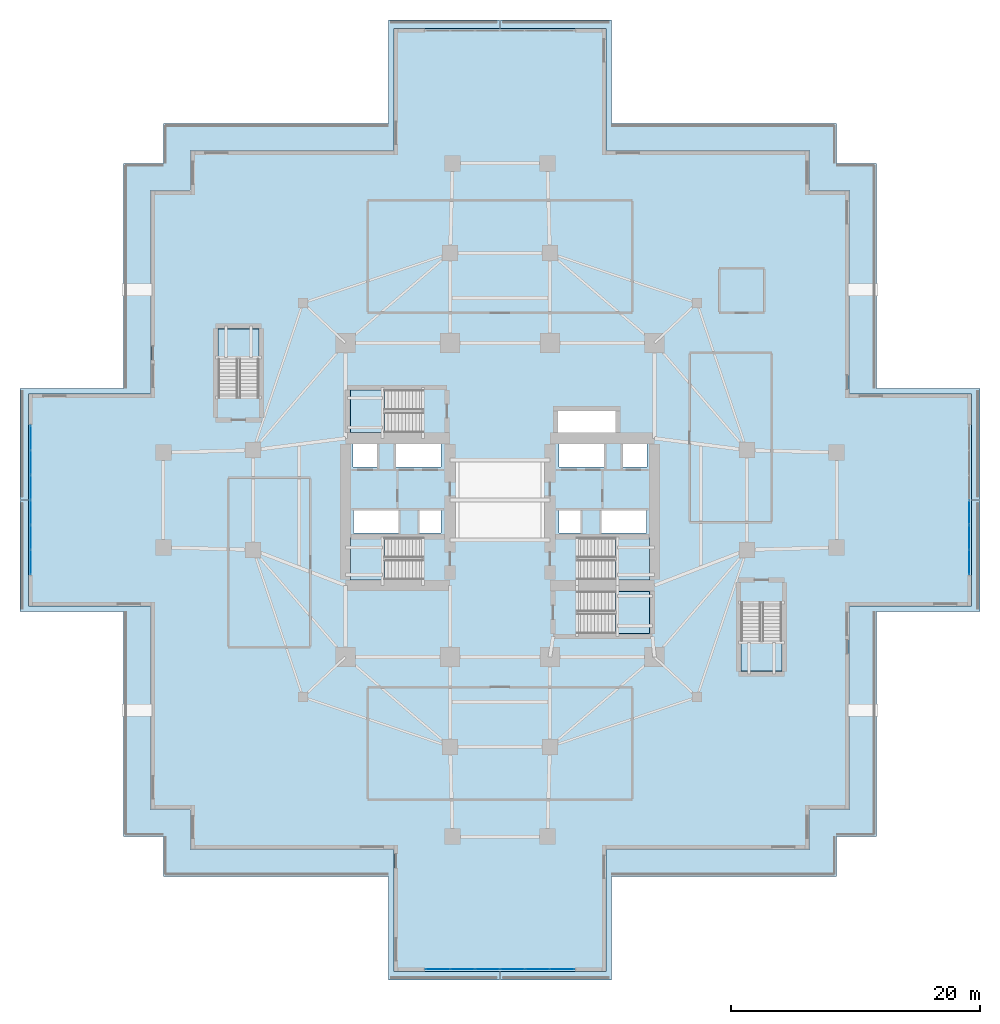
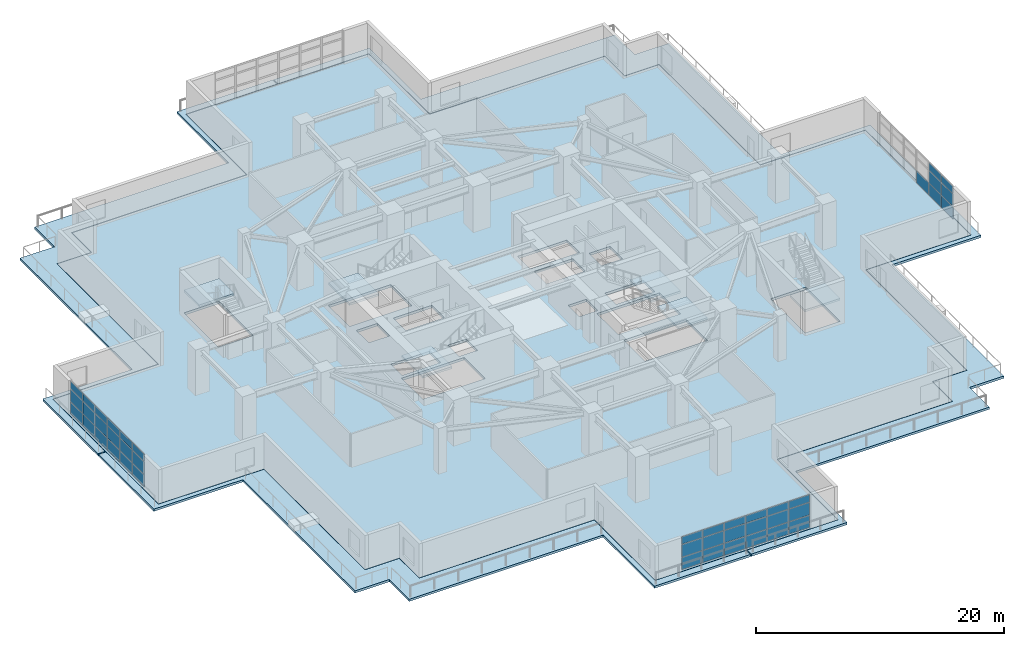
# One storey, part 11 of 23: 43 plates, 11 slabs, 9 elements without a shape of their own.
"""IFC4 building model written with IfcOpenShell, lengths in metres."""

from ifc_helpers import new_model, si_unit, direction, frame, origin, origin_2d, place, context, subcontext, project, spatial, polyline, rectangle, outline, extrude, material, layer, layer_set, type_object, element, aggregate, save


model = new_model("IFC4")

# Units and contexts
model_context = context("Model", 3, precision=1e-05, world=origin(), true_north=direction((0.0, 1.0)))
body_context = subcontext(model_context, "Body", "Model", "MODEL_VIEW")
ifc_project = project(units=[si_unit("LENGTHUNIT", "METRE"), si_unit("AREAUNIT", "SQUARE_METRE"), si_unit("VOLUMEUNIT", "CUBIC_METRE"), si_unit("PLANEANGLEUNIT", "RADIAN"), si_unit("MASSUNIT", "GRAM", prefix="KILO")], contexts=[model_context])

# Site, building, storey
site_placement = place(None, origin())
site = spatial("IfcSite", under=ifc_project, at=site_placement, CompositionType="ELEMENT")
building_placement = place(site_placement, origin())
building = spatial("IfcBuilding", under=site, at=building_placement, Name="Qingluan Cross Belvedere", CompositionType="ELEMENT")
storey_placement = place(building_placement, frame((0.0, 0.0, 10.199951171875)))
storey = spatial("IfcBuildingStorey", under=building, at=storey_placement, Name="L03", CompositionType="ELEMENT", Elevation=10.199951171875)

# Curtain wall, plates
ifc_material_1 = material(Name="Thermally broken aluminium and Low-E glass", Category="aluminium")
ifc_layer_1 = layer(ifc_material_1, 0.219970703125, Name="UnitisedCW_BallroomFoyer")
ifc_layer_set_1 = layer_set([ifc_layer_1], Name="Thermally broken aluminium and Low-E glass")
curtain_wall_type = type_object("IfcCurtainWallType", Name="UnitisedCW_BallroomFoyer", PredefinedType="USERDEFINED", material=ifc_layer_set_1)
curtain_wall_1_placement = place(storey_placement, origin())
curtain_wall_1 = element("IfcCurtainWall", 1, at=curtain_wall_1_placement, inside=storey, type_object=curtain_wall_type, Name="UnitisedCW_BallroomFoyer run env:cw:L03:S", ObjectType="UNITISED CURTAIN WALL", PredefinedType="USERDEFINED")
ifc_material_2 = material(Name="Ceramic-fritted insulated spandrel glass", Category="glass")
ifc_layer_2 = layer(ifc_material_2, 0.0439453125, Name="CWSpandrelPanel_44")
ifc_layer_set_2 = layer_set([ifc_layer_2], Name="Ceramic-fritted insulated spandrel glass")
plate_type = type_object("IfcPlateType", Name="CWSpandrelPanel_44", PredefinedType="CURTAIN_PANEL", material=ifc_layer_set_2)
plate_1_placement = place(storey_placement, frame((4.985107421875, -37.639892578125, 0.06005859375), z_axis=(0.0, 0.0, 1.0), x_axis=(-1.0, 0.0, 0.0)))
plate_1 = element("IfcPlate", 2, at=plate_1_placement, type_object=plate_type, Name="CW-P2 panel 1.1", PredefinedType="CURTAIN_PANEL", context=body_context, shape_type="SweptSolid", body=[
    extrude(rectangle(XDim=1.909912109375, YDim=0.028076171875, at=origin_2d()), origin(), (0.0, 0.0, 1.0), 1.175048828125),
])
plate_2_placement = place(storey_placement, frame((4.985107421875, -37.639892578125, 1.294921875), z_axis=(0.0, 0.0, 1.0), x_axis=(-1.0, 0.0, 0.0)))
plate_2 = element("IfcPlate", 3, at=plate_2_placement, type_object=plate_type, Name="CW-P2 panel 1.2", PredefinedType="CURTAIN_PANEL", context=body_context, shape_type="SweptSolid", body=[
    extrude(rectangle(XDim=1.909912109375, YDim=0.028076171875, at=origin_2d()), origin(), (0.0, 0.0, 1.0), 1.2060546875),
])
plate_3_placement = place(storey_placement, frame((4.985107421875, -37.639892578125, 2.56103515625), z_axis=(0.0, 0.0, 1.0), x_axis=(-1.0, 0.0, 0.0)))
plate_3 = element("IfcPlate", 4, at=plate_3_placement, type_object=plate_type, Name="CW-P2 panel 1.3", PredefinedType="CURTAIN_PANEL", context=body_context, shape_type="SweptSolid", body=[
    extrude(rectangle(XDim=1.909912109375, YDim=0.028076171875, at=origin_2d()), origin(), (0.0, 0.0, 1.0), 0.708984375),
])
plate_4_placement = place(storey_placement, frame((3.0, -37.639892578125, 0.06005859375), z_axis=(0.0, 0.0, 1.0), x_axis=(-1.0, 0.0, 0.0)))
plate_4 = element("IfcPlate", 5, at=plate_4_placement, type_object=plate_type, Name="CW-P2 panel 2.1", PredefinedType="CURTAIN_PANEL", context=body_context, shape_type="SweptSolid", body=[
    extrude(rectangle(XDim=1.93994140625, YDim=0.028076171875, at=origin_2d()), origin(), (0.0, 0.0, 1.0), 1.175048828125),
])
plate_5_placement = place(storey_placement, frame((3.0, -37.639892578125, 1.294921875), z_axis=(0.0, 0.0, 1.0), x_axis=(-1.0, 0.0, 0.0)))
plate_5 = element("IfcPlate", 6, at=plate_5_placement, type_object=plate_type, Name="CW-P2 panel 2.2", PredefinedType="CURTAIN_PANEL", context=body_context, shape_type="SweptSolid", body=[
    extrude(rectangle(XDim=1.93994140625, YDim=0.028076171875, at=origin_2d()), origin(), (0.0, 0.0, 1.0), 1.2060546875),
])
plate_6_placement = place(storey_placement, frame((3.0, -37.639892578125, 2.56103515625), z_axis=(0.0, 0.0, 1.0), x_axis=(-1.0, 0.0, 0.0)))
plate_6 = element("IfcPlate", 7, at=plate_6_placement, type_object=plate_type, Name="CW-P2 panel 2.3", PredefinedType="CURTAIN_PANEL", context=body_context, shape_type="SweptSolid", body=[
    extrude(rectangle(XDim=1.93994140625, YDim=0.028076171875, at=origin_2d()), origin(), (0.0, 0.0, 1.0), 0.708984375),
])
plate_7_placement = place(storey_placement, frame((1.0, -37.639892578125, 0.06005859375), z_axis=(0.0, 0.0, 1.0), x_axis=(-1.0, 0.0, 0.0)))
plate_7 = element("IfcPlate", 8, at=plate_7_placement, type_object=plate_type, Name="CW-P2 panel 3.1", PredefinedType="CURTAIN_PANEL", context=body_context, shape_type="SweptSolid", body=[
    extrude(rectangle(XDim=1.93994140625, YDim=0.028076171875, at=origin_2d()), origin(), (0.0, 0.0, 1.0), 1.175048828125),
])
plate_8_placement = place(storey_placement, frame((1.0, -37.639892578125, 1.294921875), z_axis=(0.0, 0.0, 1.0), x_axis=(-1.0, 0.0, 0.0)))
plate_8 = element("IfcPlate", 9, at=plate_8_placement, type_object=plate_type, Name="CW-P2 panel 3.2", PredefinedType="CURTAIN_PANEL", context=body_context, shape_type="SweptSolid", body=[
    extrude(rectangle(XDim=1.93994140625, YDim=0.028076171875, at=origin_2d()), origin(), (0.0, 0.0, 1.0), 1.2060546875),
])
plate_9_placement = place(storey_placement, frame((1.0, -37.639892578125, 2.56103515625), z_axis=(0.0, 0.0, 1.0), x_axis=(-1.0, 0.0, 0.0)))
plate_9 = element("IfcPlate", 10, at=plate_9_placement, type_object=plate_type, Name="CW-P2 panel 3.3", PredefinedType="CURTAIN_PANEL", context=body_context, shape_type="SweptSolid", body=[
    extrude(rectangle(XDim=1.93994140625, YDim=0.028076171875, at=origin_2d()), origin(), (0.0, 0.0, 1.0), 0.708984375),
])
plate_10_placement = place(storey_placement, frame((-1.0, -37.639892578125, 0.06005859375), z_axis=(0.0, 0.0, 1.0), x_axis=(-1.0, 0.0, 0.0)))
plate_10 = element("IfcPlate", 11, at=plate_10_placement, type_object=plate_type, Name="CW-P2 panel 4.1", PredefinedType="CURTAIN_PANEL", context=body_context, shape_type="SweptSolid", body=[
    extrude(rectangle(XDim=1.93994140625, YDim=0.028076171875, at=origin_2d()), origin(), (0.0, 0.0, 1.0), 1.175048828125),
])
plate_11_placement = place(storey_placement, frame((-1.0, -37.639892578125, 1.294921875), z_axis=(0.0, 0.0, 1.0), x_axis=(-1.0, 0.0, 0.0)))
plate_11 = element("IfcPlate", 12, at=plate_11_placement, type_object=plate_type, Name="CW-P2 panel 4.2", PredefinedType="CURTAIN_PANEL", context=body_context, shape_type="SweptSolid", body=[
    extrude(rectangle(XDim=1.93994140625, YDim=0.028076171875, at=origin_2d()), origin(), (0.0, 0.0, 1.0), 1.2060546875),
])
plate_12_placement = place(storey_placement, frame((-1.0, -37.639892578125, 2.56103515625), z_axis=(0.0, 0.0, 1.0), x_axis=(-1.0, 0.0, 0.0)))
plate_12 = element("IfcPlate", 13, at=plate_12_placement, type_object=plate_type, Name="CW-P2 panel 4.3", PredefinedType="CURTAIN_PANEL", context=body_context, shape_type="SweptSolid", body=[
    extrude(rectangle(XDim=1.93994140625, YDim=0.028076171875, at=origin_2d()), origin(), (0.0, 0.0, 1.0), 0.708984375),
])
plate_13_placement = place(storey_placement, frame((-3.0, -37.639892578125, 0.06005859375), z_axis=(0.0, 0.0, 1.0), x_axis=(-1.0, 0.0, 0.0)))
plate_13 = element("IfcPlate", 14, at=plate_13_placement, type_object=plate_type, Name="CW-P2 panel 5.1", PredefinedType="CURTAIN_PANEL", context=body_context, shape_type="SweptSolid", body=[
    extrude(rectangle(XDim=1.93994140625, YDim=0.028076171875, at=origin_2d()), origin(), (0.0, 0.0, 1.0), 1.175048828125),
])
plate_14_placement = place(storey_placement, frame((-3.0, -37.639892578125, 1.294921875), z_axis=(0.0, 0.0, 1.0), x_axis=(-1.0, 0.0, 0.0)))
plate_14 = element("IfcPlate", 15, at=plate_14_placement, type_object=plate_type, Name="CW-P2 panel 5.2", PredefinedType="CURTAIN_PANEL", context=body_context, shape_type="SweptSolid", body=[
    extrude(rectangle(XDim=1.93994140625, YDim=0.028076171875, at=origin_2d()), origin(), (0.0, 0.0, 1.0), 1.2060546875),
])
plate_15_placement = place(storey_placement, frame((-3.0, -37.639892578125, 2.56103515625), z_axis=(0.0, 0.0, 1.0), x_axis=(-1.0, 0.0, 0.0)))
plate_15 = element("IfcPlate", 16, at=plate_15_placement, type_object=plate_type, Name="CW-P2 panel 5.3", PredefinedType="CURTAIN_PANEL", context=body_context, shape_type="SweptSolid", body=[
    extrude(rectangle(XDim=1.93994140625, YDim=0.028076171875, at=origin_2d()), origin(), (0.0, 0.0, 1.0), 0.708984375),
])
plate_16_placement = place(storey_placement, frame((-4.985107421875, -37.639892578125, 0.06005859375), z_axis=(0.0, 0.0, 1.0), x_axis=(-1.0, 0.0, 0.0)))
plate_16 = element("IfcPlate", 17, at=plate_16_placement, type_object=plate_type, Name="CW-P2 panel 6.1", PredefinedType="CURTAIN_PANEL", context=body_context, shape_type="SweptSolid", body=[
    extrude(rectangle(XDim=1.909912109375, YDim=0.028076171875, at=origin_2d()), origin(), (0.0, 0.0, 1.0), 1.175048828125),
])
plate_17_placement = place(storey_placement, frame((-4.985107421875, -37.639892578125, 1.294921875), z_axis=(0.0, 0.0, 1.0), x_axis=(-1.0, 0.0, 0.0)))
plate_17 = element("IfcPlate", 18, at=plate_17_placement, type_object=plate_type, Name="CW-P2 panel 6.2", PredefinedType="CURTAIN_PANEL", context=body_context, shape_type="SweptSolid", body=[
    extrude(rectangle(XDim=1.909912109375, YDim=0.028076171875, at=origin_2d()), origin(), (0.0, 0.0, 1.0), 1.2060546875),
])
plate_18_placement = place(storey_placement, frame((-4.985107421875, -37.639892578125, 2.56103515625), z_axis=(0.0, 0.0, 1.0), x_axis=(-1.0, 0.0, 0.0)))
plate_18 = element("IfcPlate", 19, at=plate_18_placement, type_object=plate_type, Name="CW-P2 panel 6.3", PredefinedType="CURTAIN_PANEL", context=body_context, shape_type="SweptSolid", body=[
    extrude(rectangle(XDim=1.909912109375, YDim=0.028076171875, at=origin_2d()), origin(), (0.0, 0.0, 1.0), 0.708984375),
])
aggregate(curtain_wall_1, [plate_1, plate_2, plate_3, plate_4, plate_5, plate_6, plate_7, plate_8, plate_9, plate_10, plate_11, plate_12, plate_13, plate_14, plate_15, plate_16, plate_17, plate_18])

curtain_wall_2_placement = place(storey_placement, origin())
curtain_wall_2 = element("IfcCurtainWall", 20, at=curtain_wall_2_placement, inside=storey, type_object=curtain_wall_type, Name="UnitisedCW_BallroomFoyer run env:cw:L03:W", ObjectType="UNITISED CURTAIN WALL", PredefinedType="USERDEFINED")
plate_19_placement = place(storey_placement, frame((-37.639892578125, -4.985107421875, 0.06005859375), z_axis=(0.0, 0.0, 1.0), x_axis=(0.0, 1.0, 0.0)))
plate_19 = element("IfcPlate", 21, at=plate_19_placement, type_object=plate_type, Name="CW-P2 panel 1.1", PredefinedType="CURTAIN_PANEL", context=body_context, shape_type="SweptSolid", body=[
    extrude(rectangle(XDim=1.909912109375, YDim=0.028076171875, at=origin_2d()), origin(), (0.0, 0.0, 1.0), 1.175048828125),
])
plate_20_placement = place(storey_placement, frame((-37.639892578125, -4.985107421875, 1.294921875), z_axis=(0.0, 0.0, 1.0), x_axis=(0.0, 1.0, 0.0)))
plate_20 = element("IfcPlate", 22, at=plate_20_placement, type_object=plate_type, Name="CW-P2 panel 1.2", PredefinedType="CURTAIN_PANEL", context=body_context, shape_type="SweptSolid", body=[
    extrude(rectangle(XDim=1.909912109375, YDim=0.028076171875, at=origin_2d()), origin(), (0.0, 0.0, 1.0), 1.2060546875),
])
plate_21_placement = place(storey_placement, frame((-37.639892578125, -4.985107421875, 2.56103515625), z_axis=(0.0, 0.0, 1.0), x_axis=(0.0, 1.0, 0.0)))
plate_21 = element("IfcPlate", 23, at=plate_21_placement, type_object=plate_type, Name="CW-P2 panel 1.3", PredefinedType="CURTAIN_PANEL", context=body_context, shape_type="SweptSolid", body=[
    extrude(rectangle(XDim=1.909912109375, YDim=0.028076171875, at=origin_2d()), origin(), (0.0, 0.0, 1.0), 0.708984375),
])
plate_22_placement = place(storey_placement, frame((-37.639892578125, -3.0, 0.06005859375), z_axis=(0.0, 0.0, 1.0), x_axis=(0.0, 1.0, 0.0)))
plate_22 = element("IfcPlate", 24, at=plate_22_placement, type_object=plate_type, Name="CW-P2 panel 2.1", PredefinedType="CURTAIN_PANEL", context=body_context, shape_type="SweptSolid", body=[
    extrude(rectangle(XDim=1.93994140625, YDim=0.028076171875, at=origin_2d()), origin(), (0.0, 0.0, 1.0), 1.175048828125),
])
plate_23_placement = place(storey_placement, frame((-37.639892578125, -3.0, 1.294921875), z_axis=(0.0, 0.0, 1.0), x_axis=(0.0, 1.0, 0.0)))
plate_23 = element("IfcPlate", 25, at=plate_23_placement, type_object=plate_type, Name="CW-P2 panel 2.2", PredefinedType="CURTAIN_PANEL", context=body_context, shape_type="SweptSolid", body=[
    extrude(rectangle(XDim=1.93994140625, YDim=0.028076171875, at=origin_2d()), origin(), (0.0, 0.0, 1.0), 1.2060546875),
])
plate_24_placement = place(storey_placement, frame((-37.639892578125, -3.0, 2.56103515625), z_axis=(0.0, 0.0, 1.0), x_axis=(0.0, 1.0, 0.0)))
plate_24 = element("IfcPlate", 26, at=plate_24_placement, type_object=plate_type, Name="CW-P2 panel 2.3", PredefinedType="CURTAIN_PANEL", context=body_context, shape_type="SweptSolid", body=[
    extrude(rectangle(XDim=1.93994140625, YDim=0.028076171875, at=origin_2d()), origin(), (0.0, 0.0, 1.0), 0.708984375),
])
plate_25_placement = place(storey_placement, frame((-37.639892578125, -1.0, 0.06005859375), z_axis=(0.0, 0.0, 1.0), x_axis=(0.0, 1.0, 0.0)))
plate_25 = element("IfcPlate", 27, at=plate_25_placement, type_object=plate_type, Name="CW-P2 panel 3.1", PredefinedType="CURTAIN_PANEL", context=body_context, shape_type="SweptSolid", body=[
    extrude(rectangle(XDim=1.93994140625, YDim=0.028076171875, at=origin_2d()), origin(), (0.0, 0.0, 1.0), 1.175048828125),
])
plate_26_placement = place(storey_placement, frame((-37.639892578125, -1.0, 1.294921875), z_axis=(0.0, 0.0, 1.0), x_axis=(0.0, 1.0, 0.0)))
plate_26 = element("IfcPlate", 28, at=plate_26_placement, type_object=plate_type, Name="CW-P2 panel 3.2", PredefinedType="CURTAIN_PANEL", context=body_context, shape_type="SweptSolid", body=[
    extrude(rectangle(XDim=1.93994140625, YDim=0.028076171875, at=origin_2d()), origin(), (0.0, 0.0, 1.0), 1.2060546875),
])
plate_27_placement = place(storey_placement, frame((-37.639892578125, -1.0, 2.56103515625), z_axis=(0.0, 0.0, 1.0), x_axis=(0.0, 1.0, 0.0)))
plate_27 = element("IfcPlate", 29, at=plate_27_placement, type_object=plate_type, Name="CW-P2 panel 3.3", PredefinedType="CURTAIN_PANEL", context=body_context, shape_type="SweptSolid", body=[
    extrude(rectangle(XDim=1.93994140625, YDim=0.028076171875, at=origin_2d()), origin(), (0.0, 0.0, 1.0), 0.708984375),
])
plate_28_placement = place(storey_placement, frame((-37.639892578125, 1.0, 0.06005859375), z_axis=(0.0, 0.0, 1.0), x_axis=(0.0, 1.0, 0.0)))
plate_28 = element("IfcPlate", 30, at=plate_28_placement, type_object=plate_type, Name="CW-P2 panel 4.1", PredefinedType="CURTAIN_PANEL", context=body_context, shape_type="SweptSolid", body=[
    extrude(rectangle(XDim=1.93994140625, YDim=0.028076171875, at=origin_2d()), origin(), (0.0, 0.0, 1.0), 1.175048828125),
])
plate_29_placement = place(storey_placement, frame((-37.639892578125, 1.0, 1.294921875), z_axis=(0.0, 0.0, 1.0), x_axis=(0.0, 1.0, 0.0)))
plate_29 = element("IfcPlate", 31, at=plate_29_placement, type_object=plate_type, Name="CW-P2 panel 4.2", PredefinedType="CURTAIN_PANEL", context=body_context, shape_type="SweptSolid", body=[
    extrude(rectangle(XDim=1.93994140625, YDim=0.028076171875, at=origin_2d()), origin(), (0.0, 0.0, 1.0), 1.2060546875),
])
plate_30_placement = place(storey_placement, frame((-37.639892578125, 1.0, 2.56103515625), z_axis=(0.0, 0.0, 1.0), x_axis=(0.0, 1.0, 0.0)))
plate_30 = element("IfcPlate", 32, at=plate_30_placement, type_object=plate_type, Name="CW-P2 panel 4.3", PredefinedType="CURTAIN_PANEL", context=body_context, shape_type="SweptSolid", body=[
    extrude(rectangle(XDim=1.93994140625, YDim=0.028076171875, at=origin_2d()), origin(), (0.0, 0.0, 1.0), 0.708984375),
])
plate_31_placement = place(storey_placement, frame((-37.639892578125, 3.0, 0.06005859375), z_axis=(0.0, 0.0, 1.0), x_axis=(0.0, 1.0, 0.0)))
plate_31 = element("IfcPlate", 33, at=plate_31_placement, type_object=plate_type, Name="CW-P2 panel 5.1", PredefinedType="CURTAIN_PANEL", context=body_context, shape_type="SweptSolid", body=[
    extrude(rectangle(XDim=1.93994140625, YDim=0.028076171875, at=origin_2d()), origin(), (0.0, 0.0, 1.0), 1.175048828125),
])
plate_32_placement = place(storey_placement, frame((-37.639892578125, 3.0, 1.294921875), z_axis=(0.0, 0.0, 1.0), x_axis=(0.0, 1.0, 0.0)))
plate_32 = element("IfcPlate", 34, at=plate_32_placement, type_object=plate_type, Name="CW-P2 panel 5.2", PredefinedType="CURTAIN_PANEL", context=body_context, shape_type="SweptSolid", body=[
    extrude(rectangle(XDim=1.93994140625, YDim=0.028076171875, at=origin_2d()), origin(), (0.0, 0.0, 1.0), 1.2060546875),
])
plate_33_placement = place(storey_placement, frame((-37.639892578125, 3.0, 2.56103515625), z_axis=(0.0, 0.0, 1.0), x_axis=(0.0, 1.0, 0.0)))
plate_33 = element("IfcPlate", 35, at=plate_33_placement, type_object=plate_type, Name="CW-P2 panel 5.3", PredefinedType="CURTAIN_PANEL", context=body_context, shape_type="SweptSolid", body=[
    extrude(rectangle(XDim=1.93994140625, YDim=0.028076171875, at=origin_2d()), origin(), (0.0, 0.0, 1.0), 0.708984375),
])
plate_34_placement = place(storey_placement, frame((-37.639892578125, 4.985107421875, 0.06005859375), z_axis=(0.0, 0.0, 1.0), x_axis=(0.0, 1.0, 0.0)))
plate_34 = element("IfcPlate", 36, at=plate_34_placement, type_object=plate_type, Name="CW-P2 panel 6.1", PredefinedType="CURTAIN_PANEL", context=body_context, shape_type="SweptSolid", body=[
    extrude(rectangle(XDim=1.909912109375, YDim=0.028076171875, at=origin_2d()), origin(), (0.0, 0.0, 1.0), 1.175048828125),
])
plate_35_placement = place(storey_placement, frame((-37.639892578125, 4.985107421875, 1.294921875), z_axis=(0.0, 0.0, 1.0), x_axis=(0.0, 1.0, 0.0)))
plate_35 = element("IfcPlate", 37, at=plate_35_placement, type_object=plate_type, Name="CW-P2 panel 6.2", PredefinedType="CURTAIN_PANEL", context=body_context, shape_type="SweptSolid", body=[
    extrude(rectangle(XDim=1.909912109375, YDim=0.028076171875, at=origin_2d()), origin(), (0.0, 0.0, 1.0), 1.2060546875),
])
plate_36_placement = place(storey_placement, frame((-37.639892578125, 4.985107421875, 2.56103515625), z_axis=(0.0, 0.0, 1.0), x_axis=(0.0, 1.0, 0.0)))
plate_36 = element("IfcPlate", 38, at=plate_36_placement, type_object=plate_type, Name="CW-P2 panel 6.3", PredefinedType="CURTAIN_PANEL", context=body_context, shape_type="SweptSolid", body=[
    extrude(rectangle(XDim=1.909912109375, YDim=0.028076171875, at=origin_2d()), origin(), (0.0, 0.0, 1.0), 0.708984375),
])
aggregate(curtain_wall_2, [plate_19, plate_20, plate_21, plate_22, plate_23, plate_24, plate_25, plate_26, plate_27, plate_28, plate_29, plate_30, plate_31, plate_32, plate_33, plate_34, plate_35, plate_36])

curtain_wall_3_placement = place(storey_placement, origin())
curtain_wall_3 = element("IfcCurtainWall", 39, at=curtain_wall_3_placement, inside=storey, type_object=curtain_wall_type, Name="UnitisedCW_BallroomFoyer run env:cw:L03:E", ObjectType="UNITISED CURTAIN WALL", PredefinedType="USERDEFINED")
plate_37_placement = place(storey_placement, frame((37.639892578125, -1.0, 0.06005859375), z_axis=(0.0, 0.0, 1.0), x_axis=(0.0, -1.0, 0.0)))
plate_37 = element("IfcPlate", 40, at=plate_37_placement, type_object=plate_type, Name="CW-P2 panel 4.1", PredefinedType="CURTAIN_PANEL", context=body_context, shape_type="SweptSolid", body=[
    extrude(rectangle(XDim=1.93994140625, YDim=0.028076171875, at=origin_2d()), origin(), (0.0, 0.0, 1.0), 1.175048828125),
])
plate_38_placement = place(storey_placement, frame((37.639892578125, -3.0, 0.06005859375), z_axis=(0.0, 0.0, 1.0), x_axis=(0.0, -1.0, 0.0)))
plate_38 = element("IfcPlate", 41, at=plate_38_placement, type_object=plate_type, Name="CW-P2 panel 5.1", PredefinedType="CURTAIN_PANEL", context=body_context, shape_type="SweptSolid", body=[
    extrude(rectangle(XDim=1.93994140625, YDim=0.028076171875, at=origin_2d()), origin(), (0.0, 0.0, 1.0), 1.175048828125),
])
plate_39_placement = place(storey_placement, frame((37.639892578125, -3.0, 1.294921875), z_axis=(0.0, 0.0, 1.0), x_axis=(0.0, -1.0, 0.0)))
plate_39 = element("IfcPlate", 42, at=plate_39_placement, type_object=plate_type, Name="CW-P2 panel 5.2", PredefinedType="CURTAIN_PANEL", context=body_context, shape_type="SweptSolid", body=[
    extrude(rectangle(XDim=1.93994140625, YDim=0.028076171875, at=origin_2d()), origin(), (0.0, 0.0, 1.0), 1.2060546875),
])
plate_40_placement = place(storey_placement, frame((37.639892578125, -3.0, 2.56103515625), z_axis=(0.0, 0.0, 1.0), x_axis=(0.0, -1.0, 0.0)))
plate_40 = element("IfcPlate", 43, at=plate_40_placement, type_object=plate_type, Name="CW-P2 panel 5.3", PredefinedType="CURTAIN_PANEL", context=body_context, shape_type="SweptSolid", body=[
    extrude(rectangle(XDim=1.93994140625, YDim=0.028076171875, at=origin_2d()), origin(), (0.0, 0.0, 1.0), 0.708984375),
])
plate_41_placement = place(storey_placement, frame((37.639892578125, -4.985107421875, 0.06005859375), z_axis=(0.0, 0.0, 1.0), x_axis=(0.0, -1.0, 0.0)))
plate_41 = element("IfcPlate", 44, at=plate_41_placement, type_object=plate_type, Name="CW-P2 panel 6.1", PredefinedType="CURTAIN_PANEL", context=body_context, shape_type="SweptSolid", body=[
    extrude(rectangle(XDim=1.909912109375, YDim=0.028076171875, at=origin_2d()), origin(), (0.0, 0.0, 1.0), 1.175048828125),
])
plate_42_placement = place(storey_placement, frame((37.639892578125, -4.985107421875, 1.294921875), z_axis=(0.0, 0.0, 1.0), x_axis=(0.0, -1.0, 0.0)))
plate_42 = element("IfcPlate", 45, at=plate_42_placement, type_object=plate_type, Name="CW-P2 panel 6.2", PredefinedType="CURTAIN_PANEL", context=body_context, shape_type="SweptSolid", body=[
    extrude(rectangle(XDim=1.909912109375, YDim=0.028076171875, at=origin_2d()), origin(), (0.0, 0.0, 1.0), 1.2060546875),
])
plate_43_placement = place(storey_placement, frame((37.639892578125, -4.985107421875, 2.56103515625), z_axis=(0.0, 0.0, 1.0), x_axis=(0.0, -1.0, 0.0)))
plate_43 = element("IfcPlate", 46, at=plate_43_placement, type_object=plate_type, Name="CW-P2 panel 6.3", PredefinedType="CURTAIN_PANEL", context=body_context, shape_type="SweptSolid", body=[
    extrude(rectangle(XDim=1.909912109375, YDim=0.028076171875, at=origin_2d()), origin(), (0.0, 0.0, 1.0), 0.708984375),
])
aggregate(curtain_wall_3, [plate_37, plate_38, plate_39, plate_40, plate_41, plate_42, plate_43])

# Slab
ifc_material_3 = material(Name="Concrete C40", Category="concrete")
ifc_layer_3 = layer(ifc_material_3, 0.25, Name="FloorSlab_250")
ifc_layer_set_3 = layer_set([ifc_layer_3], Name="Concrete C40")
slab_type_1 = type_object("IfcSlabType", Name="FloorSlab_250", PredefinedType="FLOOR", material=ifc_layer_set_3)
slab_1_placement = place(storey_placement, frame((0.0, 0.0, -0.25)))
element("IfcSlab", 47, at=slab_1_placement, inside=storey, type_object=slab_type_1, Name="Structural floor slab L03", PredefinedType="FLOOR", context=body_context, shape_type="SweptSolid", body=[
    extrude(outline(polyline([(24.800048828125, -28.0), (24.800048828125, -24.800048828125), (28.0, -24.800048828125), (28.0, -8.5), (37.800048828125, -8.5), (37.800048828125, 8.5), (28.0, 8.5), (28.0, 24.800048828125), (24.800048828125, 24.800048828125), (24.800048828125, 28.0), (8.5, 28.0), (8.5, 37.800048828125), (-8.5, 37.800048828125), (-8.5, 28.0), (-24.800048828125, 28.0), (-24.800048828125, 24.800048828125), (-28.0, 24.800048828125), (-28.0, 8.5), (-37.800048828125, 8.5), (-37.800048828125, -8.5), (-28.0, -8.5), (-28.0, -24.800048828125), (-24.800048828125, -24.800048828125), (-24.800048828125, -28.0), (-8.5, -28.0), (-8.5, -37.800048828125), (8.5, -37.800048828125), (8.5, -28.0), (24.800048828125, -28.0)]), holes=[polyline([(-12.0, -3.0), (-6.179931640625, -3.0), (-6.179931640625, -6.39990234375), (-12.0, -6.39990234375), (-12.0, -3.0)]), polyline([(6.179931640625, -3.0), (12.0, -3.0), (12.0, -6.39990234375), (6.179931640625, -6.39990234375), (6.179931640625, -3.0)]), polyline([(-12.0, 8.820068359375), (-6.179931640625, 8.820068359375), (-6.179931640625, 5.419921875), (-12.0, 5.419921875), (-12.0, 8.820068359375)]), polyline([(6.179931640625, -7.320068359375), (12.0, -7.320068359375), (12.0, -10.719970703125), (6.179931640625, -10.719970703125), (6.179931640625, -7.320068359375)]), polyline([(-22.60009765625, 13.72998046875), (-19.340087890625, 13.72998046875), (-19.340087890625, 8.2099609375), (-22.60009765625, 8.2099609375), (-22.60009765625, 13.72998046875)]), polyline([(19.340087890625, -8.2099609375), (22.60009765625, -8.2099609375), (22.60009765625, -13.72998046875), (19.340087890625, -13.72998046875), (19.340087890625, -8.2099609375)]), polyline([(-11.800048828125, 4.64990234375), (-9.85009765625, 4.64990234375), (-9.85009765625, 2.64990234375), (-11.800048828125, 2.64990234375), (-11.800048828125, 4.64990234375)]), polyline([(-8.35009765625, 4.64990234375), (-4.75, 4.64990234375), (-4.75, 2.64990234375), (-8.35009765625, 2.64990234375), (-8.35009765625, 4.64990234375)]), polyline([(4.75, 4.64990234375), (8.35009765625, 4.64990234375), (8.35009765625, 2.64990234375), (4.75, 2.64990234375), (4.75, 4.64990234375)]), polyline([(9.85009765625, 4.64990234375), (11.800048828125, 4.64990234375), (11.800048828125, 2.64990234375), (9.85009765625, 2.64990234375), (9.85009765625, 4.64990234375)]), polyline([(-11.75, -0.840087890625), (-8.14990234375, -0.840087890625), (-8.14990234375, -2.659912109375), (-11.75, -2.659912109375), (-11.75, -0.840087890625)]), polyline([(-6.449951171875, -0.840087890625), (-4.75, -0.840087890625), (-4.75, -2.659912109375), (-6.449951171875, -2.659912109375), (-6.449951171875, -0.840087890625)]), polyline([(4.75, -0.840087890625), (6.449951171875, -0.840087890625), (6.449951171875, -2.659912109375), (4.75, -2.659912109375), (4.75, -0.840087890625)]), polyline([(8.14990234375, -0.840087890625), (11.75, -0.840087890625), (11.75, -2.659912109375), (8.14990234375, -2.659912109375), (8.14990234375, -0.840087890625)]), polyline([(4.64990234375, 7.14990234375), (9.25, 7.14990234375), (9.25, 5.14990234375), (4.64990234375, 5.14990234375), (4.64990234375, 7.14990234375)])]), origin(), (0.0, 0.0, 1.0), 0.25),
])

# Stair, slab
ifc_material_4 = material(Name="Concrete C40", Category="concrete")
stair_type_1 = type_object("IfcStairType", Name="CoreDoglegStair_1620", PredefinedType="HALF_TURN_STAIR", material=ifc_material_4)
stair_1_placement = place(storey_placement, origin())
stair_1 = element("IfcStair", 48, at=stair_1_placement, inside=storey, type_object=stair_type_1, Name="L03 ST1", PredefinedType="HALF_TURN_STAIR")
ifc_material_5 = material(Name="Concrete C40", Category="concrete")
ifc_layer_4 = layer(ifc_material_5, 0.179931640625, Name="StairLandingSlab_180")
ifc_layer_set_4 = layer_set([ifc_layer_4], Name="Concrete C40")
slab_type_2 = type_object("IfcSlabType", Name="StairLandingSlab_180", PredefinedType="LANDING", material=ifc_layer_set_4)
slab_2_placement = place(storey_placement, frame((0.0, 0.0, 2.050048828125)))
slab_2 = element("IfcSlab", 49, at=slab_2_placement, type_object=slab_type_2, Name="ST1 landing 1", PredefinedType="LANDING", context=body_context, shape_type="SweptSolid", body=[
    extrude(outline(polyline([(-9.260009765625, -3.0), (-12.0, -3.0), (-12.0, -6.39990234375), (-9.260009765625, -6.39990234375), (-9.260009765625, -3.0)])), origin(), (0.0, 0.0, 1.0), 0.199951171875),
])
aggregate(stair_1, [slab_2])

stair_2_placement = place(storey_placement, origin())
stair_2 = element("IfcStair", 50, at=stair_2_placement, inside=storey, type_object=stair_type_1, Name="L03 ST2", PredefinedType="HALF_TURN_STAIR")
slab_3_placement = place(storey_placement, frame((0.0, 0.0, 2.050048828125)))
slab_3 = element("IfcSlab", 51, at=slab_3_placement, type_object=slab_type_2, Name="ST2 landing 1", PredefinedType="LANDING", context=body_context, shape_type="SweptSolid", body=[
    extrude(outline(polyline([(9.260009765625, -6.39990234375), (12.0, -6.39990234375), (12.0, -3.0), (9.260009765625, -3.0), (9.260009765625, -6.39990234375)])), origin(), (0.0, 0.0, 1.0), 0.199951171875),
])
aggregate(stair_2, [slab_3])

stair_3_placement = place(storey_placement, origin())
stair_3 = element("IfcStair", 52, at=stair_3_placement, inside=storey, type_object=stair_type_1, Name="L03 ST3", PredefinedType="HALF_TURN_STAIR")
slab_4_placement = place(storey_placement, frame((0.0, 0.0, 2.050048828125)))
slab_4 = element("IfcSlab", 53, at=slab_4_placement, type_object=slab_type_2, Name="ST3 landing 1", PredefinedType="LANDING", context=body_context, shape_type="SweptSolid", body=[
    extrude(outline(polyline([(-9.260009765625, 8.820068359375), (-12.0, 8.820068359375), (-12.0, 5.419921875), (-9.260009765625, 5.419921875), (-9.260009765625, 8.820068359375)])), origin(), (0.0, 0.0, 1.0), 0.199951171875),
])
aggregate(stair_3, [slab_4])

stair_4_placement = place(storey_placement, origin())
stair_4 = element("IfcStair", 54, at=stair_4_placement, inside=storey, type_object=stair_type_1, Name="L03 ST4", PredefinedType="HALF_TURN_STAIR")
slab_5_placement = place(storey_placement, frame((0.0, 0.0, 2.050048828125)))
slab_5 = element("IfcSlab", 55, at=slab_5_placement, type_object=slab_type_2, Name="ST4 landing 1", PredefinedType="LANDING", context=body_context, shape_type="SweptSolid", body=[
    extrude(outline(polyline([(9.260009765625, -10.719970703125), (12.0, -10.719970703125), (12.0, -7.320068359375), (9.260009765625, -7.320068359375), (9.260009765625, -10.719970703125)])), origin(), (0.0, 0.0, 1.0), 0.199951171875),
])
aggregate(stair_4, [slab_5])

ifc_material_6 = material(Name="Concrete C40", Category="concrete")
stair_type_2 = type_object("IfcStairType", Name="PodiumExitStair_1550", PredefinedType="HALF_TURN_STAIR", material=ifc_material_6)
stair_5_placement = place(storey_placement, origin())
stair_5 = element("IfcStair", 56, at=stair_5_placement, inside=storey, type_object=stair_type_2, Name="L03 ST5", PredefinedType="HALF_TURN_STAIR")
slab_6_placement = place(storey_placement, frame((0.0, 0.0, 2.050048828125)))
slab_6 = element("IfcSlab", 57, at=slab_6_placement, type_object=slab_type_2, Name="ST5 landing 1", PredefinedType="LANDING", context=body_context, shape_type="SweptSolid", body=[
    extrude(outline(polyline([(-19.340087890625, 11.2900390625), (-19.340087890625, 13.72998046875), (-22.60009765625, 13.72998046875), (-22.60009765625, 11.2900390625), (-19.340087890625, 11.2900390625)])), origin(), (0.0, 0.0, 1.0), 0.199951171875),
])
aggregate(stair_5, [slab_6])

stair_6_placement = place(storey_placement, origin())
stair_6 = element("IfcStair", 58, at=stair_6_placement, inside=storey, type_object=stair_type_2, Name="L03 ST6", PredefinedType="HALF_TURN_STAIR")
slab_7_placement = place(storey_placement, frame((0.0, 0.0, 2.050048828125)))
slab_7 = element("IfcSlab", 59, at=slab_7_placement, type_object=slab_type_2, Name="ST6 landing 1", PredefinedType="LANDING", context=body_context, shape_type="SweptSolid", body=[
    extrude(outline(polyline([(19.340087890625, -11.2900390625), (19.340087890625, -13.72998046875), (22.60009765625, -13.72998046875), (22.60009765625, -11.2900390625), (19.340087890625, -11.2900390625)])), origin(), (0.0, 0.0, 1.0), 0.199951171875),
])
aggregate(stair_6, [slab_7])

# Slabs
ifc_material_7 = material(Name="Concrete C40", Category="concrete")
ifc_layer_5 = layer(ifc_material_7, 0.219970703125, Name="TerraceSlab_220")
ifc_layer_set_5 = layer_set([ifc_layer_5], Name="Concrete C40")
slab_type_3 = type_object("IfcSlabType", Name="TerraceSlab_220", PredefinedType="FLOOR", material=ifc_layer_set_5)
slab_8_placement = place(storey_placement, frame((0.0, 0.0, -0.219970703125)))
element("IfcSlab", 60, at=slab_8_placement, inside=storey, type_object=slab_type_3, Name="Cascading garden terrace deck L03-1", PredefinedType="FLOOR", context=body_context, shape_type="SweptSolid", body=[
    extrude(outline(polyline([(0.050048828125, 38.5), (0.050048828125, 37.820068359375), (8.515380859375, 37.812744140625), (8.52001953125, 28.02001953125), (24.814208984375, 28.01416015625), (24.820068359375, 24.820068359375), (28.0, 24.820068359375), (28.01953125, 24.803955078125), (28.02001953125, 8.52001953125), (37.812744140625, 8.515380859375), (37.820068359375, 0.050048828125), (38.5, 0.050048828125), (38.5, 8.949951171875), (30.199951171875, 8.949951171875), (30.199951171875, 27.0), (27.0, 27.0), (27.0, 30.199951171875), (8.949951171875, 30.199951171875), (8.949951171875, 38.5), (0.050048828125, 38.5)])), origin(), (0.0, 0.0, 1.0), 0.219970703125),
])
slab_9_placement = place(storey_placement, frame((0.0, 0.0, -0.219970703125)))
element("IfcSlab", 61, at=slab_9_placement, inside=storey, type_object=slab_type_3, Name="Cascading garden terrace deck L03-2", PredefinedType="FLOOR", context=body_context, shape_type="SweptSolid", body=[
    extrude(outline(polyline([(-38.5, 0.050048828125), (-37.820068359375, 0.050048828125), (-37.812744140625, 8.515380859375), (-28.02001953125, 8.52001953125), (-28.01416015625, 24.814208984375), (-24.820068359375, 24.820068359375), (-24.820068359375, 28.0), (-24.803955078125, 28.01953125), (-8.52001953125, 28.02001953125), (-8.515380859375, 37.812744140625), (-0.050048828125, 37.820068359375), (-0.050048828125, 38.5), (-8.949951171875, 38.5), (-8.949951171875, 30.199951171875), (-27.0, 30.199951171875), (-27.0, 27.0), (-30.199951171875, 27.0), (-30.199951171875, 8.949951171875), (-38.5, 8.949951171875), (-38.5, 0.050048828125)])), origin(), (0.0, 0.0, 1.0), 0.219970703125),
])
slab_10_placement = place(storey_placement, frame((0.0, 0.0, -0.219970703125)))
element("IfcSlab", 62, at=slab_10_placement, inside=storey, type_object=slab_type_3, Name="Cascading garden terrace deck L03-3", PredefinedType="FLOOR", context=body_context, shape_type="SweptSolid", body=[
    extrude(outline(polyline([(-0.050048828125, -38.5), (-0.050048828125, -37.820068359375), (-8.515380859375, -37.812744140625), (-8.52001953125, -28.02001953125), (-24.814208984375, -28.01416015625), (-24.820068359375, -24.820068359375), (-28.0, -24.820068359375), (-28.01953125, -24.803955078125), (-28.02001953125, -8.52001953125), (-37.812744140625, -8.515380859375), (-37.820068359375, -0.050048828125), (-38.5, -0.050048828125), (-38.5, -8.949951171875), (-30.199951171875, -8.949951171875), (-30.199951171875, -27.0), (-27.0, -27.0), (-27.0, -30.199951171875), (-8.949951171875, -30.199951171875), (-8.949951171875, -38.5), (-0.050048828125, -38.5)])), origin(), (0.0, 0.0, 1.0), 0.219970703125),
])
slab_11_placement = place(storey_placement, frame((0.0, 0.0, -0.219970703125)))
element("IfcSlab", 63, at=slab_11_placement, inside=storey, type_object=slab_type_3, Name="Cascading garden terrace deck L03-4", PredefinedType="FLOOR", context=body_context, shape_type="SweptSolid", body=[
    extrude(outline(polyline([(8.949951171875, -38.5), (8.949951171875, -30.199951171875), (27.0, -30.199951171875), (27.0, -27.0), (30.199951171875, -27.0), (30.199951171875, -8.949951171875), (38.5, -8.949951171875), (38.5, -0.050048828125), (37.820068359375, -0.050048828125), (37.812744140625, -8.515380859375), (28.02001953125, -8.52001953125), (28.01416015625, -24.814208984375), (24.820068359375, -24.820068359375), (24.820068359375, -28.0), (24.803955078125, -28.01953125), (8.52001953125, -28.02001953125), (8.515380859375, -37.812744140625), (0.050048828125, -37.820068359375), (0.050048828125, -38.5), (8.949951171875, -38.5)])), origin(), (0.0, 0.0, 1.0), 0.219970703125),
])

save(model, "model.ifc")
